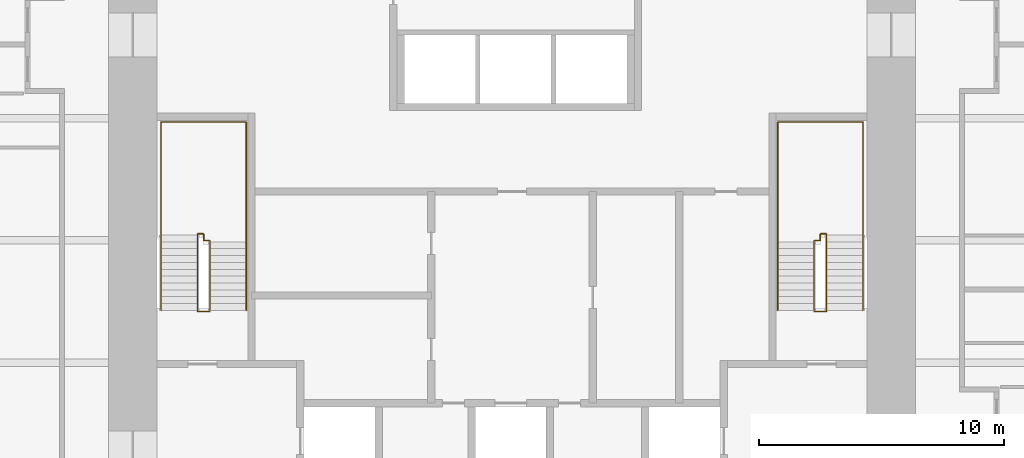
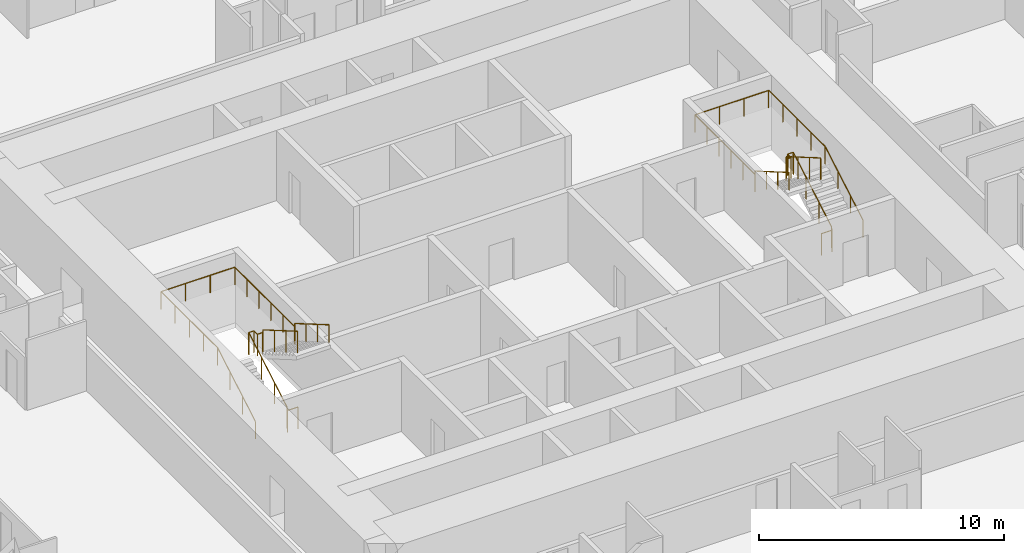
# One storey, part 16 of 16: 4 railings.
"""IFC4 building model written with IfcOpenShell, lengths in metres."""

from ifc_helpers import new_model, si_unit, direction, frame, origin, origin_2d, place, context, subcontext, project, spatial, circle, extrude, material, type_object, element, save


model = new_model("IFC4")

# Units and contexts
model_context = context("Model", 3, precision=1e-05, world=origin(), true_north=direction((0.0, 1.0)))
body_context = subcontext(model_context, "Body", "Model", "MODEL_VIEW")
ifc_project = project(units=[si_unit("LENGTHUNIT", "METRE"), si_unit("AREAUNIT", "SQUARE_METRE"), si_unit("VOLUMEUNIT", "CUBIC_METRE"), si_unit("PLANEANGLEUNIT", "RADIAN"), si_unit("MASSUNIT", "GRAM", prefix="KILO")], contexts=[model_context])

# Site, building, storey
site_placement = place(None, origin())
site = spatial("IfcSite", under=ifc_project, at=site_placement, CompositionType="ELEMENT")
building_placement = place(site_placement, origin())
building = spatial("IfcBuilding", under=site, at=building_placement, Name="Khuree Lantern Residences", CompositionType="ELEMENT")
storey_placement = place(building_placement, frame((0.0, 0.0, 81.0)))
storey = spatial("IfcBuildingStorey", under=building, at=storey_placement, Name="L20", CompositionType="ELEMENT", Elevation=81.0)

# Railings
ifc_material = material(Name="Steel S355", Category="steel")
railing_type_1 = type_object("IfcRailingType", Name="STAIR GUARD G1 1100", PredefinedType="GUARDRAIL", material=ifc_material)
railing_1_placement = place(storey_placement, frame((-12.35009765625, -2.909912109375, 0.0)))
element("IfcRailing", 1, at=railing_1_placement, inside=storey, type_object=railing_type_1, Name="Stair ST1 guard", PredefinedType="GUARDRAIL", context=body_context, shape_type="SweptSolid", body=[
    extrude(circle(Radius=0.02392578125, at=origin_2d()), frame((0.0, 0.0, 1.076171875), z_axis=(-1.0, 0.0, 0.0), x_axis=(0.0, -1.0, 0.0)), (0.0, 0.0, 1.0), 0.5),
    extrude(circle(Radius=0.02392578125, at=origin_2d()), frame((-0.5, 0.0, 1.076171875), z_axis=(0.0, 0.292073035251, 0.95639601739), x_axis=(-1.0, 0.0, 0.0)), (0.0, 0.0, 1.0), 0.17041015625),
    extrude(circle(Radius=0.02392578125, at=origin_2d()), frame((-0.5, 0.0498046875, 1.2392578125), z_axis=(0.0, 0.864176135923, 0.503189433615), x_axis=(-1.0, 0.0, 0.0)), (0.0, 0.0, 1.0), 3.564208984375),
    extrude(circle(Radius=0.02392578125, at=origin_2d()), frame((-0.5, 3.1298828125, 3.03271484375), z_axis=(0.0, 1.0, 0.0), x_axis=(-1.0, 0.0, 0.0)), (0.0, 0.0, 1.0), 0.050048828125),
    extrude(circle(Radius=0.02392578125, at=origin_2d()), frame((-0.5, 3.179931640625, 3.03271484375), z_axis=(1.0, 0.0, 0.0), x_axis=(0.0, 1.0, 0.0)), (0.0, 0.0, 1.0), 0.25),
    extrude(circle(Radius=0.02392578125, at=origin_2d()), frame((-0.25, 3.179931640625, 3.03271484375), z_axis=(0.0, -1.0, 0.0), x_axis=(1.0, 0.0, 0.0)), (0.0, 0.0, 1.0), 0.280029296875),
    extrude(circle(Radius=0.02392578125, at=origin_2d()), frame((-0.25, 2.89990234375, 3.03271484375), z_axis=(1.0, 0.0, 0.0), x_axis=(0.0, 1.0, 0.0)), (0.0, 0.0, 1.0), 0.25),
    extrude(circle(Radius=0.02392578125, at=origin_2d()), frame((0.0, 2.89990234375, 3.03271484375), z_axis=(0.0, -0.293381807449, 0.955995353053), x_axis=(1.0, 0.0, 0.0)), (0.0, 0.0, 1.0), 0.170654296875),
    extrude(circle(Radius=0.02392578125, at=origin_2d()), frame((0.0, 2.849853515625, 3.19580078125), z_axis=(0.0, -0.864180358799, 0.503182181189), x_axis=(1.0, 0.0, 0.0)), (0.0, 0.0, 1.0), 3.240234375),
    extrude(circle(Radius=0.02099609375, at=origin_2d()), origin(), (0.0, 0.0, 1.0), 1.052001953125),
    extrude(circle(Radius=0.02099609375, at=origin_2d()), frame((-0.5, 0.0, 0.0)), (0.0, 0.0, 1.0), 1.052001953125),
    extrude(circle(Radius=0.02099609375, at=origin_2d()), frame((-0.5, 0.0498046875, 0.1630859375)), (0.0, 0.0, 1.0), 1.052001953125),
    extrude(circle(Radius=0.02099609375, at=origin_2d()), frame((-0.5, 1.076416015625, 0.760986328125)), (0.0, 0.0, 1.0), 1.052001953125),
    extrude(circle(Radius=0.02099609375, at=origin_2d()), frame((-0.5, 2.103271484375, 1.358642578125)), (0.0, 0.0, 1.0), 1.052001953125),
    extrude(circle(Radius=0.02099609375, at=origin_2d()), frame((-0.5, 3.1298828125, 1.95654296875)), (0.0, 0.0, 1.0), 1.052001953125),
    extrude(circle(Radius=0.02099609375, at=origin_2d()), frame((-0.5, 3.179931640625, 1.95654296875)), (0.0, 0.0, 1.0), 1.052001953125),
    extrude(circle(Radius=0.02099609375, at=origin_2d()), frame((-0.25, 3.179931640625, 1.95654296875)), (0.0, 0.0, 1.0), 1.052001953125),
    extrude(circle(Radius=0.02099609375, at=origin_2d()), frame((-0.25, 2.89990234375, 1.95654296875)), (0.0, 0.0, 1.0), 1.052001953125),
    extrude(circle(Radius=0.02099609375, at=origin_2d()), frame((0.0, 2.89990234375, 1.95654296875)), (0.0, 0.0, 1.0), 1.052001953125),
    extrude(circle(Radius=0.02099609375, at=origin_2d()), frame((0.0, 2.849853515625, 2.11962890625)), (0.0, 0.0, 1.0), 1.052001953125),
    extrude(circle(Radius=0.02099609375, at=origin_2d()), frame((0.0, 1.91650390625, 2.6630859375)), (0.0, 0.0, 1.0), 1.052001953125),
    extrude(circle(Radius=0.02099609375, at=origin_2d()), frame((0.0, 0.983154296875, 3.20654296875)), (0.0, 0.0, 1.0), 1.052001953125),
    extrude(circle(Radius=0.02099609375, at=origin_2d()), frame((0.0, 0.0498046875, 3.75)), (0.0, 0.0, 1.0), 1.052001953125),
])
railing_2_placement = place(storey_placement, frame((12.35009765625, -2.909912109375, 0.0)))
element("IfcRailing", 2, at=railing_2_placement, inside=storey, type_object=railing_type_1, Name="Stair ST2 guard", PredefinedType="GUARDRAIL", context=body_context, shape_type="SweptSolid", body=[
    extrude(circle(Radius=0.02392578125, at=origin_2d()), frame((0.0, 0.0, 1.076171875), z_axis=(1.0, 0.0, 0.0), x_axis=(0.0, 1.0, 0.0)), (0.0, 0.0, 1.0), 0.5),
    extrude(circle(Radius=0.02392578125, at=origin_2d()), frame((0.5, 0.0, 1.076171875), z_axis=(0.0, 0.292073035251, 0.95639601739), x_axis=(-1.0, 0.0, 0.0)), (0.0, 0.0, 1.0), 0.17041015625),
    extrude(circle(Radius=0.02392578125, at=origin_2d()), frame((0.5, 0.0498046875, 1.2392578125), z_axis=(0.0, 0.864176135923, 0.503189433615), x_axis=(-1.0, 0.0, 0.0)), (0.0, 0.0, 1.0), 3.564208984375),
    extrude(circle(Radius=0.02392578125, at=origin_2d()), frame((0.5, 3.1298828125, 3.03271484375), z_axis=(0.0, 1.0, 0.0), x_axis=(-1.0, 0.0, 0.0)), (0.0, 0.0, 1.0), 0.050048828125),
    extrude(circle(Radius=0.02392578125, at=origin_2d()), frame((0.5, 3.179931640625, 3.03271484375), z_axis=(-1.0, 0.0, 0.0), x_axis=(0.0, -1.0, 0.0)), (0.0, 0.0, 1.0), 0.25),
    extrude(circle(Radius=0.02392578125, at=origin_2d()), frame((0.25, 3.179931640625, 3.03271484375), z_axis=(0.0, -1.0, 0.0), x_axis=(1.0, 0.0, 0.0)), (0.0, 0.0, 1.0), 0.280029296875),
    extrude(circle(Radius=0.02392578125, at=origin_2d()), frame((0.25, 2.89990234375, 3.03271484375), z_axis=(-1.0, 0.0, 0.0), x_axis=(0.0, -1.0, 0.0)), (0.0, 0.0, 1.0), 0.25),
    extrude(circle(Radius=0.02392578125, at=origin_2d()), frame((0.0, 2.89990234375, 3.03271484375), z_axis=(0.0, -0.293381807449, 0.955995353053), x_axis=(1.0, 0.0, 0.0)), (0.0, 0.0, 1.0), 0.170654296875),
    extrude(circle(Radius=0.02392578125, at=origin_2d()), frame((0.0, 2.849853515625, 3.19580078125), z_axis=(0.0, -0.864180358799, 0.503182181189), x_axis=(1.0, 0.0, 0.0)), (0.0, 0.0, 1.0), 3.240234375),
    extrude(circle(Radius=0.02099609375, at=origin_2d()), origin(), (0.0, 0.0, 1.0), 1.052001953125),
    extrude(circle(Radius=0.02099609375, at=origin_2d()), frame((0.5, 0.0, 0.0)), (0.0, 0.0, 1.0), 1.052001953125),
    extrude(circle(Radius=0.02099609375, at=origin_2d()), frame((0.5, 0.0498046875, 0.1630859375)), (0.0, 0.0, 1.0), 1.052001953125),
    extrude(circle(Radius=0.02099609375, at=origin_2d()), frame((0.5, 1.076416015625, 0.760986328125)), (0.0, 0.0, 1.0), 1.052001953125),
    extrude(circle(Radius=0.02099609375, at=origin_2d()), frame((0.5, 2.103271484375, 1.358642578125)), (0.0, 0.0, 1.0), 1.052001953125),
    extrude(circle(Radius=0.02099609375, at=origin_2d()), frame((0.5, 3.1298828125, 1.95654296875)), (0.0, 0.0, 1.0), 1.052001953125),
    extrude(circle(Radius=0.02099609375, at=origin_2d()), frame((0.5, 3.179931640625, 1.95654296875)), (0.0, 0.0, 1.0), 1.052001953125),
    extrude(circle(Radius=0.02099609375, at=origin_2d()), frame((0.25, 3.179931640625, 1.95654296875)), (0.0, 0.0, 1.0), 1.052001953125),
    extrude(circle(Radius=0.02099609375, at=origin_2d()), frame((0.25, 2.89990234375, 1.95654296875)), (0.0, 0.0, 1.0), 1.052001953125),
    extrude(circle(Radius=0.02099609375, at=origin_2d()), frame((0.0, 2.89990234375, 1.95654296875)), (0.0, 0.0, 1.0), 1.052001953125),
    extrude(circle(Radius=0.02099609375, at=origin_2d()), frame((0.0, 2.849853515625, 2.11962890625)), (0.0, 0.0, 1.0), 1.052001953125),
    extrude(circle(Radius=0.02099609375, at=origin_2d()), frame((0.0, 1.91650390625, 2.6630859375)), (0.0, 0.0, 1.0), 1.052001953125),
    extrude(circle(Radius=0.02099609375, at=origin_2d()), frame((0.0, 0.983154296875, 3.20654296875)), (0.0, 0.0, 1.0), 1.052001953125),
    extrude(circle(Radius=0.02099609375, at=origin_2d()), frame((0.0, 0.0498046875, 3.75)), (0.0, 0.0, 1.0), 1.052001953125),
])
railing_type_2 = type_object("IfcRailingType", Name="STAIR HANDRAIL H1 900", PredefinedType="HANDRAIL", material=ifc_material)
railing_3_placement = place(storey_placement, frame((-14.340087890625, -2.860107421875, 0.1630859375)))
element("IfcRailing", 3, at=railing_3_placement, inside=storey, type_object=railing_type_2, Name="Stair ST1 handrail", PredefinedType="HANDRAIL", context=body_context, shape_type="SweptSolid", body=[
    extrude(circle(Radius=0.02392578125, at=origin_2d()), frame((0.0, 0.0, 0.8759765625), z_axis=(0.0, 0.864176135923, 0.503189433615), x_axis=(-1.0, 0.0, 0.0)), (0.0, 0.0, 1.0), 3.564208984375),
    extrude(circle(Radius=0.02392578125, at=origin_2d()), frame((0.0, 3.080078125, 2.66943359375), z_axis=(0.0, 1.0, 0.0), x_axis=(-1.0, 0.0, 0.0)), (0.0, 0.0, 1.0), 4.6201171875),
    extrude(circle(Radius=0.02392578125, at=origin_2d()), frame((0.0, 7.7001953125, 2.66943359375), z_axis=(1.0, 0.0, 0.0), x_axis=(0.0, 1.0, 0.0)), (0.0, 0.0, 1.0), 3.47998046875),
    extrude(circle(Radius=0.02392578125, at=origin_2d()), frame((3.47998046875, 7.7001953125, 2.66943359375), z_axis=(0.0, -1.0, 0.0), x_axis=(1.0, 0.0, 0.0)), (0.0, 0.0, 1.0), 4.900146484375),
    extrude(circle(Radius=0.02392578125, at=origin_2d()), frame((3.47998046875, 2.800048828125, 2.66943359375), z_axis=(0.0, 0.0, 1.0), x_axis=(1.0, 0.0, 0.0)), (0.0, 0.0, 1.0), 0.1630859375),
    extrude(circle(Radius=0.02392578125, at=origin_2d()), frame((3.47998046875, 2.800048828125, 2.83251953125), z_axis=(0.0, -0.864180358799, 0.503182181189), x_axis=(1.0, 0.0, 0.0)), (0.0, 0.0, 1.0), 3.240234375),
    extrude(circle(Radius=0.02099609375, at=origin_2d()), origin(), (0.0, 0.0, 1.0), 0.851806640625),
    extrude(circle(Radius=0.02099609375, at=origin_2d()), frame((0.0, 1.026611328125, 0.597900390625)), (0.0, 0.0, 1.0), 0.851806640625),
    extrude(circle(Radius=0.02099609375, at=origin_2d()), frame((0.0, 2.053466796875, 1.195556640625)), (0.0, 0.0, 1.0), 0.851806640625),
    extrude(circle(Radius=0.02099609375, at=origin_2d()), frame((0.0, 3.080078125, 1.79345703125)), (0.0, 0.0, 1.0), 0.851806640625),
    extrude(circle(Radius=0.02099609375, at=origin_2d()), frame((0.0, 4.235107421875, 1.79345703125)), (0.0, 0.0, 1.0), 0.851806640625),
    extrude(circle(Radius=0.02099609375, at=origin_2d()), frame((0.0, 5.39013671875, 1.79345703125)), (0.0, 0.0, 1.0), 0.851806640625),
    extrude(circle(Radius=0.02099609375, at=origin_2d()), frame((0.0, 6.545166015625, 1.79345703125)), (0.0, 0.0, 1.0), 0.851806640625),
    extrude(circle(Radius=0.02099609375, at=origin_2d()), frame((0.0, 7.7001953125, 1.79345703125)), (0.0, 0.0, 1.0), 0.851806640625),
    extrude(circle(Radius=0.02099609375, at=origin_2d()), frame((1.159912109375, 7.7001953125, 1.79345703125)), (0.0, 0.0, 1.0), 0.851806640625),
    extrude(circle(Radius=0.02099609375, at=origin_2d()), frame((2.320068359375, 7.7001953125, 1.79345703125)), (0.0, 0.0, 1.0), 0.851806640625),
    extrude(circle(Radius=0.02099609375, at=origin_2d()), frame((3.47998046875, 7.7001953125, 1.79345703125)), (0.0, 0.0, 1.0), 0.851806640625),
    extrude(circle(Radius=0.02099609375, at=origin_2d()), frame((3.47998046875, 6.72021484375, 1.79345703125)), (0.0, 0.0, 1.0), 0.851806640625),
    extrude(circle(Radius=0.02099609375, at=origin_2d()), frame((3.47998046875, 5.740234375, 1.79345703125)), (0.0, 0.0, 1.0), 0.851806640625),
    extrude(circle(Radius=0.02099609375, at=origin_2d()), frame((3.47998046875, 4.760009765625, 1.79345703125)), (0.0, 0.0, 1.0), 0.851806640625),
    extrude(circle(Radius=0.02099609375, at=origin_2d()), frame((3.47998046875, 3.780029296875, 1.79345703125)), (0.0, 0.0, 1.0), 0.851806640625),
    extrude(circle(Radius=0.02099609375, at=origin_2d()), frame((3.47998046875, 2.800048828125, 1.79345703125)), (0.0, 0.0, 1.0), 0.851806640625),
    extrude(circle(Radius=0.02099609375, at=origin_2d()), frame((3.47998046875, 2.800048828125, 1.95654296875)), (0.0, 0.0, 1.0), 0.851806640625),
    extrude(circle(Radius=0.02099609375, at=origin_2d()), frame((3.47998046875, 1.86669921875, 2.5)), (0.0, 0.0, 1.0), 0.851806640625),
    extrude(circle(Radius=0.02099609375, at=origin_2d()), frame((3.47998046875, 0.933349609375, 3.04345703125)), (0.0, 0.0, 1.0), 0.851806640625),
    extrude(circle(Radius=0.02099609375, at=origin_2d()), frame((3.47998046875, 0.0, 3.5869140625)), (0.0, 0.0, 1.0), 0.851806640625),
])
railing_4_placement = place(storey_placement, frame((14.340087890625, -2.860107421875, 0.1630859375)))
element("IfcRailing", 4, at=railing_4_placement, inside=storey, type_object=railing_type_2, Name="Stair ST2 handrail", PredefinedType="HANDRAIL", context=body_context, shape_type="SweptSolid", body=[
    extrude(circle(Radius=0.02392578125, at=origin_2d()), frame((0.0, 0.0, 0.8759765625), z_axis=(0.0, 0.864176135923, 0.503189433615), x_axis=(-1.0, 0.0, 0.0)), (0.0, 0.0, 1.0), 3.564208984375),
    extrude(circle(Radius=0.02392578125, at=origin_2d()), frame((0.0, 3.080078125, 2.66943359375), z_axis=(0.0, 1.0, 0.0), x_axis=(-1.0, 0.0, 0.0)), (0.0, 0.0, 1.0), 4.6201171875),
    extrude(circle(Radius=0.02392578125, at=origin_2d()), frame((0.0, 7.7001953125, 2.66943359375), z_axis=(-1.0, 0.0, 0.0), x_axis=(0.0, -1.0, 0.0)), (0.0, 0.0, 1.0), 3.47998046875),
    extrude(circle(Radius=0.02392578125, at=origin_2d()), frame((-3.47998046875, 7.7001953125, 2.66943359375), z_axis=(0.0, -1.0, 0.0), x_axis=(1.0, 0.0, 0.0)), (0.0, 0.0, 1.0), 4.900146484375),
    extrude(circle(Radius=0.02392578125, at=origin_2d()), frame((-3.47998046875, 2.800048828125, 2.66943359375), z_axis=(0.0, 0.0, 1.0), x_axis=(1.0, 0.0, 0.0)), (0.0, 0.0, 1.0), 0.1630859375),
    extrude(circle(Radius=0.02392578125, at=origin_2d()), frame((-3.47998046875, 2.800048828125, 2.83251953125), z_axis=(0.0, -0.864180358799, 0.503182181189), x_axis=(1.0, 0.0, 0.0)), (0.0, 0.0, 1.0), 3.240234375),
    extrude(circle(Radius=0.02099609375, at=origin_2d()), origin(), (0.0, 0.0, 1.0), 0.851806640625),
    extrude(circle(Radius=0.02099609375, at=origin_2d()), frame((0.0, 1.026611328125, 0.597900390625)), (0.0, 0.0, 1.0), 0.851806640625),
    extrude(circle(Radius=0.02099609375, at=origin_2d()), frame((0.0, 2.053466796875, 1.195556640625)), (0.0, 0.0, 1.0), 0.851806640625),
    extrude(circle(Radius=0.02099609375, at=origin_2d()), frame((0.0, 3.080078125, 1.79345703125)), (0.0, 0.0, 1.0), 0.851806640625),
    extrude(circle(Radius=0.02099609375, at=origin_2d()), frame((0.0, 4.235107421875, 1.79345703125)), (0.0, 0.0, 1.0), 0.851806640625),
    extrude(circle(Radius=0.02099609375, at=origin_2d()), frame((0.0, 5.39013671875, 1.79345703125)), (0.0, 0.0, 1.0), 0.851806640625),
    extrude(circle(Radius=0.02099609375, at=origin_2d()), frame((0.0, 6.545166015625, 1.79345703125)), (0.0, 0.0, 1.0), 0.851806640625),
    extrude(circle(Radius=0.02099609375, at=origin_2d()), frame((0.0, 7.7001953125, 1.79345703125)), (0.0, 0.0, 1.0), 0.851806640625),
    extrude(circle(Radius=0.02099609375, at=origin_2d()), frame((-1.159912109375, 7.7001953125, 1.79345703125)), (0.0, 0.0, 1.0), 0.851806640625),
    extrude(circle(Radius=0.02099609375, at=origin_2d()), frame((-2.320068359375, 7.7001953125, 1.79345703125)), (0.0, 0.0, 1.0), 0.851806640625),
    extrude(circle(Radius=0.02099609375, at=origin_2d()), frame((-3.47998046875, 7.7001953125, 1.79345703125)), (0.0, 0.0, 1.0), 0.851806640625),
    extrude(circle(Radius=0.02099609375, at=origin_2d()), frame((-3.47998046875, 6.72021484375, 1.79345703125)), (0.0, 0.0, 1.0), 0.851806640625),
    extrude(circle(Radius=0.02099609375, at=origin_2d()), frame((-3.47998046875, 5.740234375, 1.79345703125)), (0.0, 0.0, 1.0), 0.851806640625),
    extrude(circle(Radius=0.02099609375, at=origin_2d()), frame((-3.47998046875, 4.760009765625, 1.79345703125)), (0.0, 0.0, 1.0), 0.851806640625),
    extrude(circle(Radius=0.02099609375, at=origin_2d()), frame((-3.47998046875, 3.780029296875, 1.79345703125)), (0.0, 0.0, 1.0), 0.851806640625),
    extrude(circle(Radius=0.02099609375, at=origin_2d()), frame((-3.47998046875, 2.800048828125, 1.79345703125)), (0.0, 0.0, 1.0), 0.851806640625),
    extrude(circle(Radius=0.02099609375, at=origin_2d()), frame((-3.47998046875, 2.800048828125, 1.95654296875)), (0.0, 0.0, 1.0), 0.851806640625),
    extrude(circle(Radius=0.02099609375, at=origin_2d()), frame((-3.47998046875, 1.86669921875, 2.5)), (0.0, 0.0, 1.0), 0.851806640625),
    extrude(circle(Radius=0.02099609375, at=origin_2d()), frame((-3.47998046875, 0.933349609375, 3.04345703125)), (0.0, 0.0, 1.0), 0.851806640625),
    extrude(circle(Radius=0.02099609375, at=origin_2d()), frame((-3.47998046875, 0.0, 3.5869140625)), (0.0, 0.0, 1.0), 0.851806640625),
])

save(model, "model.ifc")
